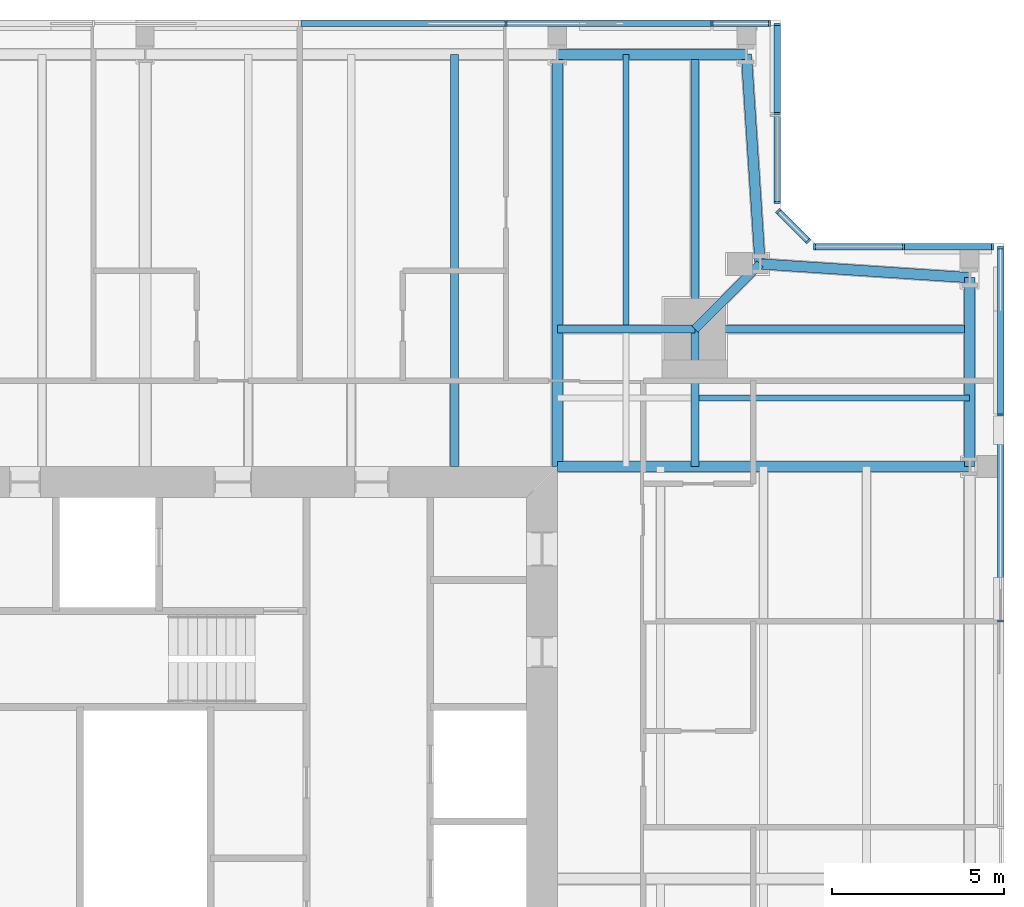
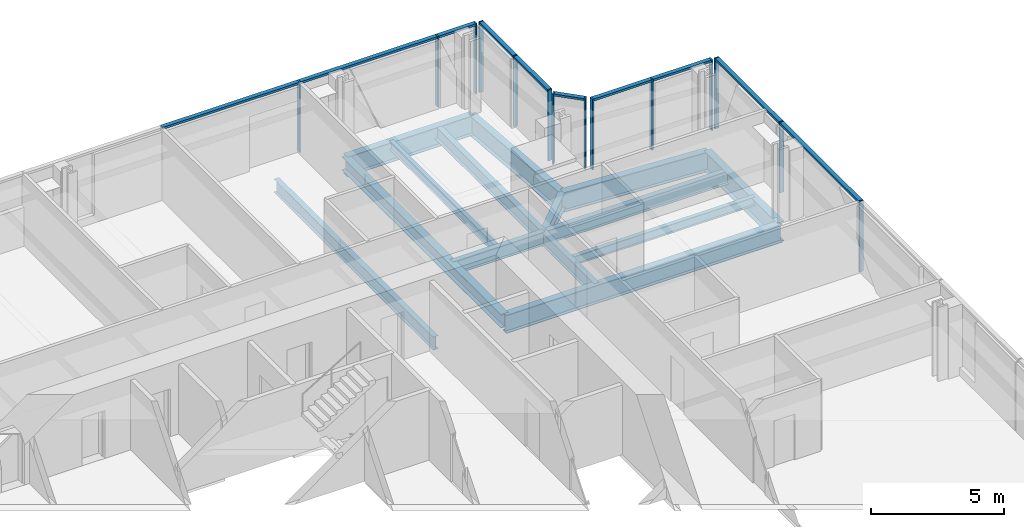
# One storey, part 9 of 20: 24 members, 14 beams, 5 elements without a shape of their own.
"""IFC4 building model written with IfcOpenShell, lengths in metres."""

import ifcopenshell
import ifcopenshell.guid

model = None  # the IFC model being written
_history = None  # IfcOwnerHistory: only IFC2X3 demands one
_inside = {}  # id of a spatial element -> (the spatial element, [elements in it])
_under = {}  # id of a project, library or spatial element -> (it, [spatial elements below it])
_declared = {}  # id of a project -> (the project, [libraries it declares])
_typed = {}  # id of a type object -> (the type object, [elements of that type])
_made_of = {}  # id of a material, layer set ... -> (it, [elements and type objects made of it])


def new_model(schema):
    """Start an empty IFC model of exactly this schema.

    Asked for "IFC4X3", IfcOpenShell would pick the latest addendum, in which some entities
    have other attributes; the version numbers below select the first issue.
    IFC2X3 requires an IfcOwnerHistory on every rooted entity: one is made here for all.
    """
    global model, _history
    if schema == "IFC4X3":
        model = ifcopenshell.file(schema_version=(4, 3, 0, 0))
    else:
        model = ifcopenshell.file(schema=schema)
    _inside.clear()
    _under.clear()
    _declared.clear()
    _typed.clear()
    _made_of.clear()
    _history = None
    if model.schema == "IFC2X3":
        org = make("IfcOrganization", Name="unknown")
        user = make(
            "IfcPersonAndOrganization",
            ThePerson=make("IfcPerson", FamilyName="unknown"),
            TheOrganization=org,
        )
        app = make(
            "IfcApplication",
            ApplicationDeveloper=org,
            Version="unknown",
            ApplicationFullName="unknown",
            ApplicationIdentifier="unknown",
        )
        _history = make(
            "IfcOwnerHistory",
            OwningUser=user,
            OwningApplication=app,
            ChangeAction="ADDED",
            CreationDate=0,
        )
    return model


def make(cls, **values):
    """One entity of the class cls with the attributes given. An attribute that is None is left unset."""
    return model.create_entity(
        cls, **{name: value for name, value in values.items() if value is not None}
    )


def rooted(cls, **values):
    """An entity with a GlobalId (a new one), such as an element, a storey or a relation."""
    return make(cls, GlobalId=ifcopenshell.guid.new(), OwnerHistory=_history, **values)


def si_unit(unit_type, name, prefix=None):
    """IfcSIUnit, for example si_unit("LENGTHUNIT", "METRE", prefix="MILLI")."""
    return make("IfcSIUnit", UnitType=unit_type, Prefix=prefix, Name=name)


def assignment(units):
    """IfcUnitAssignment: the units of a project."""
    return None if units is None else make("IfcUnitAssignment", Units=units)


def point(xyz):
    """IfcCartesianPoint."""
    return None if xyz is None else make("IfcCartesianPoint", Coordinates=xyz)


def direction(xyz):
    """IfcDirection."""
    return None if xyz is None else make("IfcDirection", DirectionRatios=xyz)


def frame(location, z_axis=None, x_axis=None):
    """IfcAxis2Placement3D, a coordinate frame: its origin and axes. An axis left out is left unset."""
    return make(
        "IfcAxis2Placement3D",
        Location=point(location),
        Axis=direction(z_axis),
        RefDirection=direction(x_axis),
    )


def frame_2d(location, x_axis=None):
    """IfcAxis2Placement2D, a coordinate frame in the plane: its origin and x axis."""
    return make(
        "IfcAxis2Placement2D", Location=point(location), RefDirection=direction(x_axis)
    )


def origin():
    """The frame at (0, 0, 0) with its axes left unset."""
    return frame((0.0, 0.0, 0.0))


def origin_2d():
    """The frame at (0, 0) in the plane with its x axis left unset."""
    return frame_2d((0.0, 0.0))


def place(relative_to, where):
    """IfcLocalPlacement: puts the frame where relative to a parent placement (None: the world)."""
    return make(
        "IfcLocalPlacement", PlacementRelTo=relative_to, RelativePlacement=where
    )


def context(
    kind, dimensions, precision=None, world=None, true_north=None, identifier=None
):
    """IfcGeometricRepresentationContext, for example the 3D "Model" context."""
    return make(
        "IfcGeometricRepresentationContext",
        ContextIdentifier=identifier,
        ContextType=kind,
        CoordinateSpaceDimension=dimensions,
        Precision=precision,
        WorldCoordinateSystem=world,
        TrueNorth=true_north,
    )


def subcontext(parent, identifier, kind, view, scale=None):
    """IfcGeometricRepresentationSubContext, for example "Body" below "Model"."""
    return make(
        "IfcGeometricRepresentationSubContext",
        ContextIdentifier=identifier,
        ContextType=kind,
        ParentContext=parent,
        TargetScale=scale,
        TargetView=view,
    )


def project(units=None, contexts=None):
    """IfcProject with its units and contexts."""
    return rooted(
        "IfcProject",
        Name="project",
        RepresentationContexts=contexts,
        UnitsInContext=assignment(units),
    )


def spatial(cls, under=None, at=None, **own):
    """A site, building, storey or space (cls), placed at a placement, below another one or the project."""
    s = rooted(cls, ObjectPlacement=at, **own)
    if under is not None:
        _under.setdefault(under.id(), (under, []))[1].append(s)
    return s


def profile(cls, at=None, kind="AREA", **sizes):
    """A parametric profile (cls). Its sizes go by their IFC names, for example OverallWidth=200.0."""
    return make(cls, ProfileType=kind, Position=at, **sizes)


def rectangle(**sizes):
    """IfcRectangleProfileDef."""
    return profile("IfcRectangleProfileDef", **sizes)


def i_section(**sizes):
    """IfcIShapeProfileDef."""
    return profile("IfcIShapeProfileDef", **sizes)


def extrude(swept, where, along, depth):
    """IfcExtrudedAreaSolid: the profile swept, set in the frame where, extruded along a direction by depth."""
    return make(
        "IfcExtrudedAreaSolid",
        SweptArea=swept,
        Position=where,
        ExtrudedDirection=direction(along),
        Depth=depth,
    )


def shape(context_of_items, identifier, shape_type, items):
    """IfcShapeRepresentation: the items that make up one representation, for example the "Body"."""
    return make(
        "IfcShapeRepresentation",
        ContextOfItems=context_of_items,
        RepresentationIdentifier=identifier,
        RepresentationType=shape_type,
        Items=items,
    )


def material(Name=None, Category=None):
    """IfcMaterial."""
    return make("IfcMaterial", Name=Name, Category=Category)


def material_profile(
    of_material, cross_section, Name=None, Category=None, Priority=None
):
    """IfcMaterialProfile: a cross section and its material."""
    return make(
        "IfcMaterialProfile",
        Name=Name,
        Material=of_material,
        Profile=cross_section,
        Priority=Priority,
        Category=Category,
    )


def profile_set(profiles, Name=None, composite=None):
    """IfcMaterialProfileSet."""
    return make(
        "IfcMaterialProfileSet",
        Name=Name,
        MaterialProfiles=profiles,
        CompositeProfile=composite,
    )


def made_of(thing, what):
    """Note that an element or type object is made of a material, layer set ...; save() writes the relation."""
    if what is not None:
        _made_of.setdefault(what.id(), (what, []))[1].append(thing)
    return thing


def type_object(cls, material=None, **own):
    """A type object (cls), such as IfcWallType, which elements share."""
    return made_of(rooted(cls, **own), material)


def element(
    cls,
    number,
    at=None,
    inside=None,
    cuts=None,
    type_object=None,
    material=None,
    context=None,
    identifier="Body",
    shape_type=None,
    held_by="IfcProductDefinitionShape",
    body=None,
    shapes=None,
    **own,
):
    """One element of the class cls, such as IfcWall. Its Tag is "e" and its number.

    at: its placement. inside: the storey or other place that contains it. cuts: it is an
    opening in that element (IfcRelVoidsElement). A single representation is given by context,
    identifier, shape_type and body (its items); several are given by shapes. held_by: the class
    of the entity that holds the representations. save() writes the other relations.
    """
    e = rooted(cls, Tag="e%d" % number, ObjectPlacement=at, **own)
    if body is not None:
        shapes = [shape(context, identifier, shape_type, body)]
    if shapes is not None:
        e.Representation = make(held_by, Representations=shapes)
    if inside is not None:
        _inside.setdefault(inside.id(), (inside, []))[1].append(e)
    if cuts is not None:
        rooted(
            "IfcRelVoidsElement", RelatingBuildingElement=cuts, RelatedOpeningElement=e
        )
    if type_object is not None:
        _typed.setdefault(type_object.id(), (type_object, []))[1].append(e)
    return made_of(e, material)


def aggregate(whole, parts):
    """IfcRelAggregates: a whole, such as a stair, and the parts it consists of."""
    return rooted("IfcRelAggregates", RelatingObject=whole, RelatedObjects=parts)


def save(model, path):
    """Write the relations noted so far, then the file.

    IfcRelAggregates (storeys below a building ...), IfcRelContainedInSpatialStructure (elements
    in a storey), IfcRelDefinesByType, IfcRelAssociatesMaterial and IfcRelDeclares: one each for
    every whole, place, type object, material and project.
    """
    for whole, parts in _under.values():
        aggregate(whole, parts)
    for where, things in _inside.values():
        rooted(
            "IfcRelContainedInSpatialStructure",
            RelatedElements=things,
            RelatingStructure=where,
        )
    for kind, things in _typed.values():
        rooted("IfcRelDefinesByType", RelatedObjects=things, RelatingType=kind)
    for what, things in _made_of.values():
        rooted("IfcRelAssociatesMaterial", RelatedObjects=things, RelatingMaterial=what)
    for by, libraries in _declared.values():
        rooted("IfcRelDeclares", RelatingContext=by, RelatedDefinitions=libraries)
    model.write(path)


model = new_model("IFC4")

# Units and contexts
model_context = context("Model", 3, precision=1e-05, world=origin(), true_north=direction((0.0, 1.0)))
body_context = subcontext(model_context, "Body", "Model", "MODEL_VIEW")
ifc_project = project(units=[si_unit("LENGTHUNIT", "METRE"), si_unit("AREAUNIT", "SQUARE_METRE"), si_unit("VOLUMEUNIT", "CUBIC_METRE"), si_unit("PLANEANGLEUNIT", "RADIAN"), si_unit("MASSUNIT", "GRAM", prefix="KILO")], contexts=[model_context])

# Site, building, storey
site_placement = place(None, origin())
site = spatial("IfcSite", under=ifc_project, at=site_placement, CompositionType="ELEMENT")
building_placement = place(site_placement, origin())
building = spatial("IfcBuilding", under=site, at=building_placement, Name="Fenwick Lantern Interchange", CompositionType="ELEMENT")
storey_placement = place(building_placement, frame((0.0, 0.0, 286.60009765625)))
storey = spatial("IfcBuildingStorey", under=building, at=storey_placement, Name="L69", CompositionType="ELEMENT", Elevation=286.60009765625)

# Beams
ifc_material_1 = material(Name="Steel ASTM A992 Grade 50", Category="steel")
ifc_material_profile_1 = material_profile(ifc_material_1, i_section(OverallWidth=0.3046875, OverallDepth=0.911865234375, WebThickness=0.015869140625, FlangeThickness=0.02392578125, at=origin_2d()), Name="W36X150")
ifc_profile_set_1 = profile_set([ifc_material_profile_1], Name="Steel ASTM A992 Grade 50")
beam_type_1 = type_object("IfcBeamType", Name="EDGE BEAM W36X150", PredefinedType="SPANDREL", material=ifc_profile_set_1)
beam_1_placement = place(storey_placement, frame((49.0, 37.0, -0.60595703125), z_axis=(0.0, 1.0, 0.0), x_axis=(-1.0, 0.0, 0.0)))
element("IfcBeam", 1, at=beam_1_placement, inside=storey, type_object=beam_type_1, Name="L69/FR/E/EB4", PredefinedType="SPANDREL", context=body_context, shape_type="SweptSolid", body=[
    extrude(i_section(OverallWidth=0.3046875, OverallDepth=0.911865234375, WebThickness=0.015869140625, FlangeThickness=0.02392578125, at=origin_2d()), origin(), (0.0, 0.0, 1.0), 5.5),
])
for number, where, z_axis, x_axis, name in (
    (2, (49.0, 42.5, -0.60595703125), (-0.997858060337, 0.065416293237, 0.0), (-0.065416293237, -0.997858060337, 0.0), "L69/FR/E/EBR1"),
    (3, (42.89990234375, 42.89990234375, -0.60595703125), (-0.065416293237, 0.997858060337, 0.0), (-0.997858060337, -0.065416293237, 0.0), "L69/FR/E/EBR2"),
):
    element("IfcBeam", number, at=place(storey_placement, frame(where, z_axis=z_axis, x_axis=x_axis)), inside=storey, type_object=beam_type_1, Name=name, PredefinedType="SPANDREL", context=body_context, shape_type="SweptSolid", body=[
        extrude(i_section(OverallWidth=0.3046875, OverallDepth=0.911865234375, WebThickness=0.015869140625, FlangeThickness=0.02392578125, at=origin_2d()), origin(), (0.0, 0.0, 1.0), 6.11328125),
    ])
beam_2_placement = place(storey_placement, frame((42.5, 49.0, -0.60595703125), z_axis=(-1.0, 0.0, 0.0), x_axis=(0.0, -1.0, 0.0)))
element("IfcBeam", 4, at=beam_2_placement, inside=storey, type_object=beam_type_1, Name="L69/FR/N/EB1", PredefinedType="SPANDREL", context=body_context, shape_type="SweptSolid", body=[
    extrude(i_section(OverallWidth=0.3046875, OverallDepth=0.911865234375, WebThickness=0.015869140625, FlangeThickness=0.02392578125, at=origin_2d()), origin(), (0.0, 0.0, 1.0), 5.5),
])
ifc_material_profile_2 = material_profile(ifc_material_1, i_section(OverallWidth=0.22900390625, OverallDepth=0.612060546875, WebThickness=0.011962890625, FlangeThickness=0.01953125, at=origin_2d()), Name="W24X84")
ifc_profile_set_2 = profile_set([ifc_material_profile_2], Name="Steel ASTM A992 Grade 50")
beam_type_2 = type_object("IfcBeamType", Name="FLOOR BEAM W24X84", PredefinedType="BEAM", material=ifc_profile_set_2)
beam_3_placement = place(storey_placement, frame((34.0, 49.0, -0.4560546875), z_axis=(0.0, -1.0, 0.0), x_axis=(1.0, 0.0, 0.0)))
element("IfcBeam", 5, at=beam_3_placement, inside=storey, type_object=beam_type_2, Name="L69/FR/N/R02", PredefinedType="BEAM", context=body_context, shape_type="SweptSolid", body=[
    extrude(i_section(OverallWidth=0.22900390625, OverallDepth=0.612060546875, WebThickness=0.011962890625, FlangeThickness=0.01953125, at=origin_2d()), origin(), (0.0, 0.0, 1.0), 12.0),
])

# Curtain wall, members
ifc_material_2 = material(Name="Aluminium curtain wall frame", Category="aluminium")
curtain_wall_type = type_object("IfcCurtainWallType", Name="HOTEL CURTAIN WALL", PredefinedType="USERDEFINED", material=ifc_material_2)
curtain_wall_1_placement = place(storey_placement, origin())
curtain_wall_1 = element("IfcCurtainWall", 6, at=curtain_wall_1_placement, inside=storey, type_object=curtain_wall_type, Name="Hotel curtain wall 05", ObjectType="HOTEL CURTAIN WALL", PredefinedType="USERDEFINED")
ifc_material_3 = material(Name="Aluminium extrusion", Category="aluminium")
ifc_material_profile_3 = material_profile(ifc_material_3, rectangle(XDim=0.179931640625, YDim=0.06005859375, at=origin_2d()), Name="HOTEL CURTAIN WALL MULLION 60 X 180")
ifc_profile_set_3 = profile_set([ifc_material_profile_3], Name="Aluminium extrusion")
member_type_1 = type_object("IfcMemberType", Name="HOTEL CURTAIN WALL MULLION 60 X 180", PredefinedType="MULLION", material=ifc_profile_set_3)
member_1_placement = place(storey_placement, frame((49.89990234375, 32.5, 0.0), z_axis=(0.0, 0.0, 1.0), x_axis=(-1.0, 0.0, 0.0)))
member_1 = element("IfcMember", 7, at=member_1_placement, type_object=member_type_1, Name="L69/CW/05/M05", PredefinedType="MULLION", context=body_context, shape_type="SweptSolid", body=[
    extrude(rectangle(XDim=0.179931640625, YDim=0.06005859375, at=origin_2d()), origin(), (0.0, 0.0, 1.0), 3.25),
])
member_2_placement = place(storey_placement, frame((49.89990234375, 38.5, 0.0), z_axis=(0.0, 0.0, 1.0), x_axis=(-1.0, 0.0, 0.0)))
member_2 = element("IfcMember", 8, at=member_2_placement, type_object=member_type_1, Name="L69/CW/05/M06", PredefinedType="MULLION", context=body_context, shape_type="SweptSolid", body=[
    extrude(rectangle(XDim=0.179931640625, YDim=0.06005859375, at=origin_2d()), origin(), (0.0, 0.0, 1.0), 3.25),
])
member_3_placement = place(storey_placement, frame((49.89990234375, 43.3701171875, 0.0), z_axis=(0.0, 0.0, 1.0), x_axis=(-1.0, 0.0, 0.0)))
member_3 = element("IfcMember", 9, at=member_3_placement, type_object=member_type_1, Name="L69/CW/05/M07", PredefinedType="MULLION", context=body_context, shape_type="SweptSolid", body=[
    extrude(rectangle(XDim=0.179931640625, YDim=0.06005859375, at=origin_2d()), origin(), (0.0, 0.0, 1.0), 3.25),
])

curtain_wall_2_placement = place(storey_placement, origin())
curtain_wall_2 = element("IfcCurtainWall", 10, at=curtain_wall_2_placement, inside=storey, type_object=curtain_wall_type, Name="Hotel curtain wall 06", ObjectType="HOTEL CURTAIN WALL", PredefinedType="USERDEFINED")
member_4_placement = place(storey_placement, frame((49.669921875, 43.39990234375, 0.0), z_axis=(0.0, 0.0, 1.0), x_axis=(0.0, -1.0, 0.0)))
member_4 = element("IfcMember", 11, at=member_4_placement, type_object=member_type_1, Name="L69/CW/06/M00", PredefinedType="MULLION", context=body_context, shape_type="SweptSolid", body=[
    extrude(rectangle(XDim=0.179931640625, YDim=0.06005859375, at=origin_2d()), origin(), (0.0, 0.0, 1.0), 3.25),
])
member_5_placement = place(storey_placement, frame((47.079345703125, 43.39990234375, 0.0), z_axis=(0.0, 0.0, 1.0), x_axis=(0.0, -1.0, 0.0)))
member_5 = element("IfcMember", 12, at=member_5_placement, type_object=member_type_1, Name="L69/CW/06/M01", PredefinedType="MULLION", context=body_context, shape_type="SweptSolid", body=[
    extrude(rectangle(XDim=0.179931640625, YDim=0.06005859375, at=origin_2d()), origin(), (0.0, 0.0, 1.0), 3.25),
])
member_6_placement = place(storey_placement, frame((44.488525390625, 43.39990234375, 0.0), z_axis=(0.0, 0.0, 1.0), x_axis=(0.0, -1.0, 0.0)))
member_6 = element("IfcMember", 13, at=member_6_placement, type_object=member_type_1, Name="L69/CW/06/M02", PredefinedType="MULLION", context=body_context, shape_type="SweptSolid", body=[
    extrude(rectangle(XDim=0.179931640625, YDim=0.06005859375, at=origin_2d()), origin(), (0.0, 0.0, 1.0), 3.25),
])

curtain_wall_3_placement = place(storey_placement, origin())
curtain_wall_3 = element("IfcCurtainWall", 14, at=curtain_wall_3_placement, inside=storey, type_object=curtain_wall_type, Name="Hotel curtain wall 07", ObjectType="HOTEL CURTAIN WALL", PredefinedType="USERDEFINED")
member_7_placement = place(storey_placement, frame((44.2958984375, 43.562744140625, 0.0), z_axis=(0.0, 0.0, 1.0), x_axis=(-0.707106781187, -0.707106781187, 0.0)))
member_7 = element("IfcMember", 15, at=member_7_placement, type_object=member_type_1, Name="L69/CW/07/M00", PredefinedType="MULLION", context=body_context, shape_type="SweptSolid", body=[
    extrude(rectangle(XDim=0.179931640625, YDim=0.06005859375, at=origin_2d()), origin(), (0.0, 0.0, 1.0), 3.25),
])
member_8_placement = place(storey_placement, frame((43.421142578125, 44.437255859375, 0.0), z_axis=(0.0, 0.0, 1.0), x_axis=(-0.707106781187, -0.707106781187, 0.0)))
member_8 = element("IfcMember", 16, at=member_8_placement, type_object=member_type_1, Name="L69/CW/07/M01", PredefinedType="MULLION", context=body_context, shape_type="SweptSolid", body=[
    extrude(rectangle(XDim=0.179931640625, YDim=0.06005859375, at=origin_2d()), origin(), (0.0, 0.0, 1.0), 3.25),
])

curtain_wall_4_placement = place(storey_placement, origin())
curtain_wall_4 = element("IfcCurtainWall", 17, at=curtain_wall_4_placement, inside=storey, type_object=curtain_wall_type, Name="Hotel curtain wall 08", ObjectType="HOTEL CURTAIN WALL", PredefinedType="USERDEFINED")
member_9_placement = place(storey_placement, frame((43.39990234375, 44.6884765625, 0.0), z_axis=(0.0, 0.0, 1.0), x_axis=(-1.0, 0.0, 0.0)))
member_9 = element("IfcMember", 18, at=member_9_placement, type_object=member_type_1, Name="L69/CW/08/M00", PredefinedType="MULLION", context=body_context, shape_type="SweptSolid", body=[
    extrude(rectangle(XDim=0.179931640625, YDim=0.06005859375, at=origin_2d()), origin(), (0.0, 0.0, 1.0), 3.25),
])
member_10_placement = place(storey_placement, frame((43.39990234375, 47.279296875, 0.0), z_axis=(0.0, 0.0, 1.0), x_axis=(-1.0, 0.0, 0.0)))
member_10 = element("IfcMember", 19, at=member_10_placement, type_object=member_type_1, Name="L69/CW/08/M01", PredefinedType="MULLION", context=body_context, shape_type="SweptSolid", body=[
    extrude(rectangle(XDim=0.179931640625, YDim=0.06005859375, at=origin_2d()), origin(), (0.0, 0.0, 1.0), 3.25),
])
member_11_placement = place(storey_placement, frame((43.39990234375, 49.8701171875, 0.0), z_axis=(0.0, 0.0, 1.0), x_axis=(-1.0, 0.0, 0.0)))
member_11 = element("IfcMember", 20, at=member_11_placement, type_object=member_type_1, Name="L69/CW/08/M02", PredefinedType="MULLION", context=body_context, shape_type="SweptSolid", body=[
    extrude(rectangle(XDim=0.179931640625, YDim=0.06005859375, at=origin_2d()), origin(), (0.0, 0.0, 1.0), 3.25),
])

curtain_wall_5_placement = place(storey_placement, origin())
curtain_wall_5 = element("IfcCurtainWall", 21, at=curtain_wall_5_placement, inside=storey, type_object=curtain_wall_type, Name="Hotel curtain wall 09", ObjectType="HOTEL CURTAIN WALL", PredefinedType="USERDEFINED")
member_12_placement = place(storey_placement, frame((43.169921875, 49.89990234375, 0.0), z_axis=(0.0, 0.0, 1.0), x_axis=(0.0, -1.0, 0.0)))
member_12 = element("IfcMember", 22, at=member_12_placement, type_object=member_type_1, Name="L69/CW/09/M00", PredefinedType="MULLION", context=body_context, shape_type="SweptSolid", body=[
    extrude(rectangle(XDim=0.179931640625, YDim=0.06005859375, at=origin_2d()), origin(), (0.0, 0.0, 1.0), 3.25),
])
member_13_placement = place(storey_placement, frame((41.5, 49.89990234375, 0.0), z_axis=(0.0, 0.0, 1.0), x_axis=(0.0, -1.0, 0.0)))
member_13 = element("IfcMember", 23, at=member_13_placement, type_object=member_type_1, Name="L69/CW/09/M01", PredefinedType="MULLION", context=body_context, shape_type="SweptSolid", body=[
    extrude(rectangle(XDim=0.179931640625, YDim=0.06005859375, at=origin_2d()), origin(), (0.0, 0.0, 1.0), 3.25),
])
member_14_placement = place(storey_placement, frame((35.5, 49.89990234375, 0.0), z_axis=(0.0, 0.0, 1.0), x_axis=(0.0, -1.0, 0.0)))
member_14 = element("IfcMember", 24, at=member_14_placement, type_object=member_type_1, Name="L69/CW/09/M02", PredefinedType="MULLION", context=body_context, shape_type="SweptSolid", body=[
    extrude(rectangle(XDim=0.179931640625, YDim=0.06005859375, at=origin_2d()), origin(), (0.0, 0.0, 1.0), 3.25),
])

# Member
ifc_material_profile_4 = material_profile(ifc_material_3, rectangle(XDim=0.179931640625, YDim=0.10009765625, at=origin_2d()), Name="HOTEL CURTAIN WALL TRANSOM 100 X 180")
ifc_profile_set_4 = profile_set([ifc_material_profile_4], Name="Aluminium extrusion")
member_type_2 = type_object("IfcMemberType", Name="HOTEL CURTAIN WALL TRANSOM 100 X 180", PredefinedType="MULLION", material=ifc_profile_set_4)
member_15_placement = place(storey_placement, frame((49.89990234375, 32.530029296875, 3.199951171875), z_axis=(0.0, 1.0, 0.0), x_axis=(-1.0, 0.0, 0.0)))
member_15 = element("IfcMember", 25, at=member_15_placement, type_object=member_type_2, Name="L69/CW/05/T05", PredefinedType="MULLION", context=body_context, shape_type="SweptSolid", body=[
    extrude(rectangle(XDim=0.179931640625, YDim=0.10009765625, at=origin_2d()), origin(), (0.0, 0.0, 1.0), 5.93994140625),
])

member_16_placement = place(storey_placement, frame((49.89990234375, 38.530029296875, 3.199951171875), z_axis=(0.0, 1.0, 0.0), x_axis=(-1.0, 0.0, 0.0)))
member_16 = element("IfcMember", 26, at=member_16_placement, type_object=member_type_2, Name="L69/CW/05/T06", PredefinedType="MULLION", context=body_context, shape_type="SweptSolid", body=[
    extrude(rectangle(XDim=0.179931640625, YDim=0.10009765625, at=origin_2d()), origin(), (0.0, 0.0, 1.0), 4.81005859375),
])

aggregate(curtain_wall_1, [member_1, member_2, member_3, member_15, member_16])

member_17_placement = place(storey_placement, frame((49.639892578125, 43.39990234375, 3.199951171875), z_axis=(-1.0, 0.0, 0.0), x_axis=(0.0, -1.0, 0.0)))
member_17 = element("IfcMember", 27, at=member_17_placement, type_object=member_type_2, Name="L69/CW/06/T00", PredefinedType="MULLION", context=body_context, shape_type="SweptSolid", body=[
    extrude(rectangle(XDim=0.179931640625, YDim=0.10009765625, at=origin_2d()), origin(), (0.0, 0.0, 1.0), 2.530517578125),
])

member_18_placement = place(storey_placement, frame((47.04931640625, 43.39990234375, 3.199951171875), z_axis=(-1.0, 0.0, 0.0), x_axis=(0.0, -1.0, 0.0)))
member_18 = element("IfcMember", 28, at=member_18_placement, type_object=member_type_2, Name="L69/CW/06/T01", PredefinedType="MULLION", context=body_context, shape_type="SweptSolid", body=[
    extrude(rectangle(XDim=0.179931640625, YDim=0.10009765625, at=origin_2d()), origin(), (0.0, 0.0, 1.0), 2.53076171875),
])

aggregate(curtain_wall_2, [member_4, member_5, member_6, member_17, member_18])

member_19_placement = place(storey_placement, frame((44.274658203125, 43.583740234375, 3.199951171875), z_axis=(-0.707003077033, 0.707210470133, 0.0), x_axis=(-0.707210470133, -0.707003077033, 0.0)))
member_19 = element("IfcMember", 29, at=member_19_placement, type_object=member_type_2, Name="L69/CW/07/T00", PredefinedType="MULLION", context=body_context, shape_type="SweptSolid", body=[
    extrude(rectangle(XDim=0.179931640625, YDim=0.10009765625, at=origin_2d()), origin(), (0.0, 0.0, 1.0), 1.17724609375),
])

aggregate(curtain_wall_3, [member_7, member_8, member_19])

member_20_placement = place(storey_placement, frame((43.39990234375, 44.718505859375, 3.199951171875), z_axis=(0.0, 1.0, 0.0), x_axis=(-1.0, 0.0, 0.0)))
member_20 = element("IfcMember", 30, at=member_20_placement, type_object=member_type_2, Name="L69/CW/08/T00", PredefinedType="MULLION", context=body_context, shape_type="SweptSolid", body=[
    extrude(rectangle(XDim=0.179931640625, YDim=0.10009765625, at=origin_2d()), origin(), (0.0, 0.0, 1.0), 2.53076171875),
])

member_21_placement = place(storey_placement, frame((43.39990234375, 47.309326171875, 3.199951171875), z_axis=(0.0, 1.0, 0.0), x_axis=(-1.0, 0.0, 0.0)))
member_21 = element("IfcMember", 31, at=member_21_placement, type_object=member_type_2, Name="L69/CW/08/T01", PredefinedType="MULLION", context=body_context, shape_type="SweptSolid", body=[
    extrude(rectangle(XDim=0.179931640625, YDim=0.10009765625, at=origin_2d()), origin(), (0.0, 0.0, 1.0), 2.53076171875),
])

aggregate(curtain_wall_4, [member_9, member_10, member_11, member_20, member_21])

member_22_placement = place(storey_placement, frame((43.139892578125, 49.89990234375, 3.199951171875), z_axis=(-1.0, 0.0, 0.0), x_axis=(0.0, -1.0, 0.0)))
member_22 = element("IfcMember", 32, at=member_22_placement, type_object=member_type_2, Name="L69/CW/09/T00", PredefinedType="MULLION", context=body_context, shape_type="SweptSolid", body=[
    extrude(rectangle(XDim=0.179931640625, YDim=0.10009765625, at=origin_2d()), origin(), (0.0, 0.0, 1.0), 1.60986328125),
])

member_23_placement = place(storey_placement, frame((41.469970703125, 49.89990234375, 3.199951171875), z_axis=(-1.0, 0.0, 0.0), x_axis=(0.0, -1.0, 0.0)))
member_23 = element("IfcMember", 33, at=member_23_placement, type_object=member_type_2, Name="L69/CW/09/T01", PredefinedType="MULLION", context=body_context, shape_type="SweptSolid", body=[
    extrude(rectangle(XDim=0.179931640625, YDim=0.10009765625, at=origin_2d()), origin(), (0.0, 0.0, 1.0), 5.93994140625),
])

member_24_placement = place(storey_placement, frame((35.469970703125, 49.89990234375, 3.199951171875), z_axis=(-1.0, 0.0, 0.0), x_axis=(0.0, -1.0, 0.0)))
member_24 = element("IfcMember", 34, at=member_24_placement, type_object=member_type_2, Name="L69/CW/09/T02", PredefinedType="MULLION", context=body_context, shape_type="SweptSolid", body=[
    extrude(rectangle(XDim=0.179931640625, YDim=0.10009765625, at=origin_2d()), origin(), (0.0, 0.0, 1.0), 5.93994140625),
])

aggregate(curtain_wall_5, [member_12, member_13, member_14, member_22, member_23, member_24])

# Beams
ifc_material_profile_5 = material_profile(ifc_material_1, i_section(OverallWidth=0.177734375, OverallDepth=0.406494140625, WebThickness=0.0078125, FlangeThickness=0.012939453125, at=origin_2d()), Name="W16X40")
ifc_profile_set_5 = profile_set([ifc_material_profile_5], Name="Steel ASTM A992 Grade 50")
beam_type_3 = type_object("IfcBeamType", Name="INFILL BEAM W16X40", PredefinedType="JOIST", material=ifc_profile_set_5)
for number, where, z_axis, x_axis, name in (
    (35, (39.0, 49.0, -0.353271484375), (0.0, -1.0, 0.0), (1.0, 0.0, 0.0), "L69/FR/N/J1"),
    (36, (49.0, 39.0, -0.353271484375), (-1.0, 0.0, 0.0), (0.0, -1.0, 0.0), "L69/FR/N/J3"),
):
    element("IfcBeam", number, at=place(storey_placement, frame(where, z_axis=z_axis, x_axis=x_axis)), inside=storey, type_object=beam_type_3, Name=name, PredefinedType="JOIST", context=body_context, shape_type="SweptSolid", body=[
        extrude(i_section(OverallWidth=0.177734375, OverallDepth=0.406494140625, WebThickness=0.0078125, FlangeThickness=0.012939453125, at=origin_2d()), origin(), (0.0, 0.0, 1.0), 7.885498046875),
    ])
ifc_material_profile_6 = material_profile(ifc_material_1, i_section(OverallWidth=0.22900390625, OverallDepth=0.612060546875, WebThickness=0.011962890625, FlangeThickness=0.01953125, at=origin_2d()), Name="W24X84")
ifc_profile_set_6 = profile_set([ifc_material_profile_6], Name="Steel ASTM A992 Grade 50")
beam_type_4 = type_object("IfcBeamType", Name="MEGA COLUMN BEAM W24X84", PredefinedType="BEAM", material=ifc_profile_set_6)
for number, where, z_axis, x_axis, name in (
    (37, (41.0, 41.0, -0.4560546875), (0.0, 1.0, 0.0), (-1.0, 0.0, 0.0), "L69/FR/N/MB1"),
    (38, (41.0, 41.0, -0.4560546875), (1.0, 0.0, 0.0), (0.0, 1.0, 0.0), "L69/FR/N/MB2"),
):
    element("IfcBeam", number, at=place(storey_placement, frame(where, z_axis=z_axis, x_axis=x_axis)), inside=storey, type_object=beam_type_4, Name=name, PredefinedType="BEAM", context=body_context, shape_type="SweptSolid", body=[
        extrude(i_section(OverallWidth=0.22900390625, OverallDepth=0.612060546875, WebThickness=0.011962890625, FlangeThickness=0.01953125, at=origin_2d()), origin(), (0.0, 0.0, 1.0), 8.0),
    ])
for number, where, z_axis, x_axis, name in (
    (39, (41.0, 41.0, -0.4560546875), (-1.0, 0.0, 0.0), (0.0, -1.0, 0.0), "L69/FR/N/MB3"),
    (40, (41.0, 41.0, -0.4560546875), (0.0, -1.0, 0.0), (1.0, 0.0, 0.0), "L69/FR/N/MB4"),
):
    element("IfcBeam", number, at=place(storey_placement, frame(where, z_axis=z_axis, x_axis=x_axis)), inside=storey, type_object=beam_type_4, Name=name, PredefinedType="BEAM", context=body_context, shape_type="SweptSolid", body=[
        extrude(i_section(OverallWidth=0.22900390625, OverallDepth=0.612060546875, WebThickness=0.011962890625, FlangeThickness=0.01953125, at=origin_2d()), origin(), (0.0, 0.0, 1.0), 4.0),
    ])
ifc_material_profile_7 = material_profile(ifc_material_1, i_section(OverallWidth=0.32763671875, OverallDepth=0.622314453125, WebThickness=0.015380859375, FlangeThickness=0.0244140625, at=origin_2d()), Name="W24X131")
ifc_profile_set_7 = profile_set([ifc_material_profile_7], Name="Steel ASTM A992 Grade 50")
beam_type_5 = type_object("IfcBeamType", Name="MOMENT-CONNECTED GIRDER W24X131", PredefinedType="BEAM", material=ifc_profile_set_7)
beam_4_placement = place(storey_placement, frame((37.0, 49.0, -0.461181640625), z_axis=(0.0, -1.0, 0.0), x_axis=(1.0, 0.0, 0.0)))
element("IfcBeam", 41, at=beam_4_placement, inside=storey, type_object=beam_type_5, Name="L69/FR/N/R01", PredefinedType="BEAM", context=body_context, shape_type="SweptSolid", body=[
    extrude(i_section(OverallWidth=0.32763671875, OverallDepth=0.622314453125, WebThickness=0.015380859375, FlangeThickness=0.0244140625, at=origin_2d()), origin(), (0.0, 0.0, 1.0), 12.0),
])
ifc_material_profile_8 = material_profile(ifc_material_1, i_section(OverallWidth=0.2919921875, OverallDepth=0.845703125, WebThickness=0.015380859375, FlangeThickness=0.0244140625, at=origin_2d()), Name="W33X141")
ifc_profile_set_8 = profile_set([ifc_material_profile_8], Name="Steel ASTM A992 Grade 50")
beam_type_6 = type_object("IfcBeamType", Name="MOMENT-CONNECTED GIRDER W33X141", PredefinedType="BEAM", material=ifc_profile_set_8)
beam_5_placement = place(storey_placement, frame((49.0, 37.0, -0.572998046875), z_axis=(-1.0, 0.0, 0.0), x_axis=(0.0, -1.0, 0.0)))
element("IfcBeam", 42, at=beam_5_placement, inside=storey, type_object=beam_type_6, Name="L69/FR/E/R03", PredefinedType="BEAM", context=body_context, shape_type="SweptSolid", body=[
    extrude(i_section(OverallWidth=0.2919921875, OverallDepth=0.845703125, WebThickness=0.015380859375, FlangeThickness=0.0244140625, at=origin_2d()), origin(), (0.0, 0.0, 1.0), 12.0),
])
ifc_material_profile_9 = material_profile(ifc_material_1, i_section(OverallWidth=0.2666015625, OverallDepth=0.7568359375, WebThickness=0.013916015625, FlangeThickness=0.019287109375, at=origin_2d()), Name="W30X108")
ifc_profile_set_9 = profile_set([ifc_material_profile_9], Name="Steel ASTM A992 Grade 50")
beam_type_7 = type_object("IfcBeamType", Name="NOTCH BEAM W30X108", PredefinedType="BEAM", material=ifc_profile_set_9)
beam_6_placement = place(storey_placement, frame((41.0, 41.0, -0.528564453125), z_axis=(0.707106781187, 0.707106781187, 0.0), x_axis=(-0.707106781187, 0.707106781187, 0.0)))
element("IfcBeam", 43, at=beam_6_placement, inside=storey, type_object=beam_type_7, Name="L69/FR/N/TG", PredefinedType="BEAM", context=body_context, shape_type="SweptSolid", body=[
    extrude(i_section(OverallWidth=0.2666015625, OverallDepth=0.7568359375, WebThickness=0.013916015625, FlangeThickness=0.019287109375, at=origin_2d()), origin(), (0.0, 0.0, 1.0), 2.686767578125),
])

save(model, "model.ifc")
